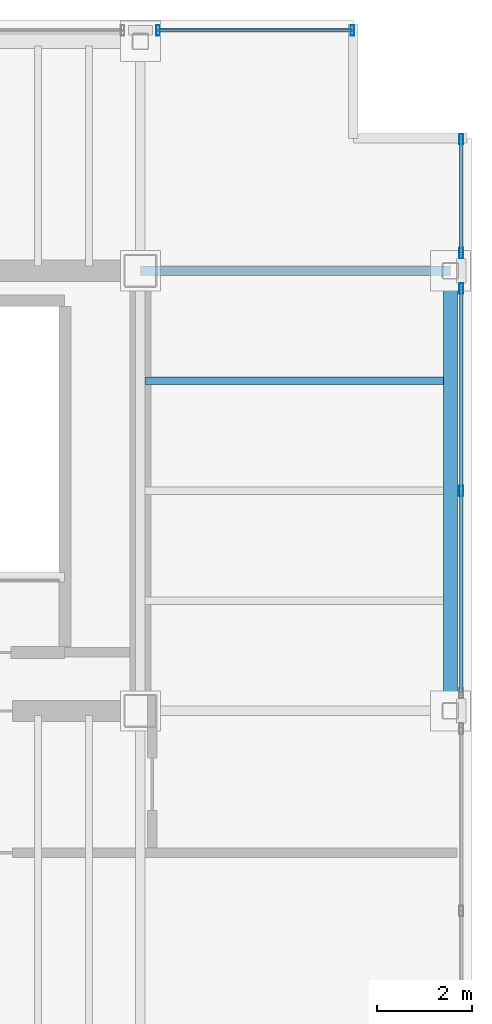
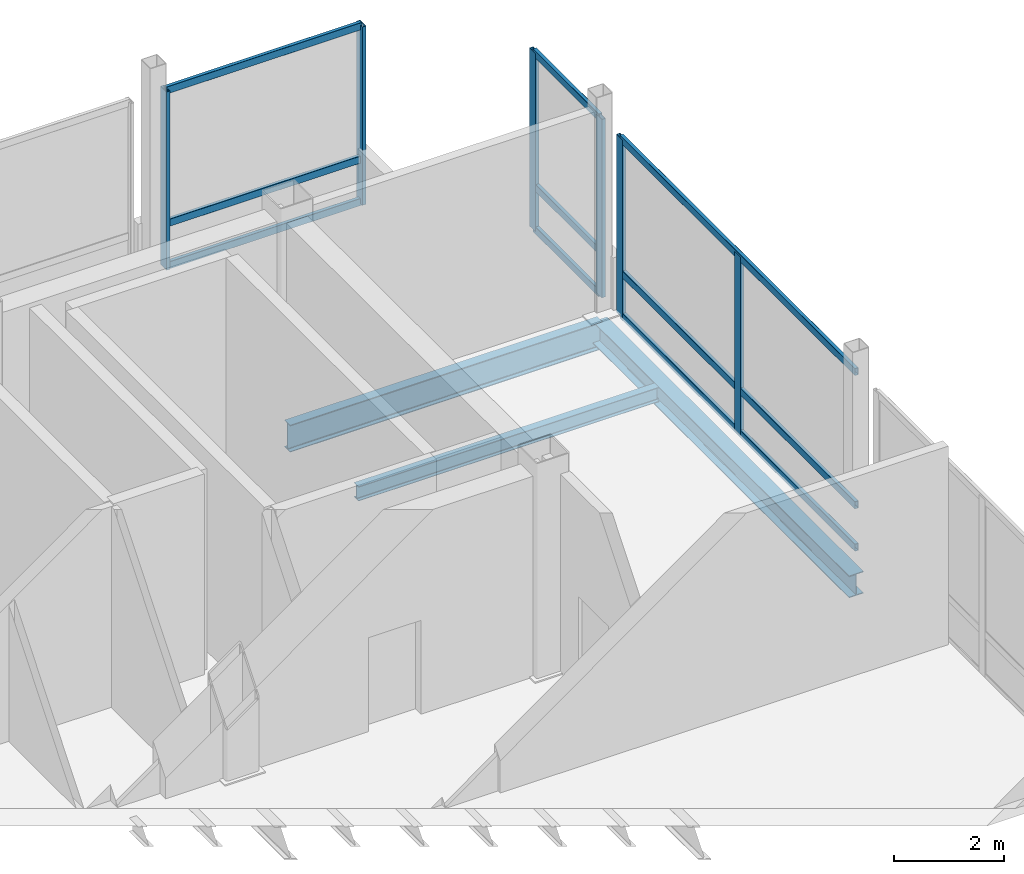
# One storey, part 16 of 20: 15 members, 3 beams, 3 elements without a shape of their own.
"""IFC4 building model written with IfcOpenShell, lengths in metres."""

from ifc_helpers import new_model, si_unit, direction, frame, origin, origin_2d, place, context, subcontext, project, spatial, hollow_rectangle, i_section, extrude, material, material_profile, profile_set, type_object, element, aggregate, save


model = new_model("IFC4")

# Units and contexts
model_context = context("Model", 3, precision=1e-05, world=origin(), true_north=direction((0.0, 1.0)))
body_context = subcontext(model_context, "Body", "Model", "MODEL_VIEW")
ifc_project = project(units=[si_unit("LENGTHUNIT", "METRE"), si_unit("AREAUNIT", "SQUARE_METRE"), si_unit("VOLUMEUNIT", "CUBIC_METRE"), si_unit("PLANEANGLEUNIT", "RADIAN"), si_unit("MASSUNIT", "GRAM", prefix="KILO")], contexts=[model_context])

# Site, building, storey
site_placement = place(None, origin())
site = spatial("IfcSite", under=ifc_project, at=site_placement, CompositionType="ELEMENT")
building_placement = place(site_placement, origin())
building = spatial("IfcBuilding", under=site, at=building_placement, Name="Noeulbin Bourse Tower", CompositionType="ELEMENT")
storey_placement = place(building_placement, frame((0.0, 0.0, 312.60009765625)))
storey = spatial("IfcBuildingStorey", under=building, at=storey_placement, Name="L77", CompositionType="ELEMENT", Elevation=312.60009765625)

# Beams
ifc_material_1 = material(Name="Steel S355", Category="steel")
ifc_material_profile_1 = material_profile(ifc_material_1, i_section(OverallWidth=0.199951171875, OverallDepth=0.60009765625, WebThickness=0.010986328125, FlangeThickness=0.01708984375, FilletRadius=0.02197265625, at=origin_2d()), Name="H-600x200x11x17", Category="LoadBearing")
ifc_profile_set_1 = profile_set([ifc_material_profile_1], Name="Steel S355")
beam_type_1 = type_object("IfcBeamType", Name="BM-GRD-600", PredefinedType="USERDEFINED", material=ifc_profile_set_1)
beam_1_placement = place(storey_placement, frame((44.0, 38.300048828125, -0.56005859375), z_axis=(1.0, 0.0, 0.0), x_axis=(0.0, 1.0, 0.0)))
element("IfcBeam", 1, at=beam_1_placement, inside=storey, type_object=beam_type_1, Name="Tower Primary Girder EW L77-3.4", ObjectType="GIRDER", PredefinedType="USERDEFINED", context=body_context, shape_type="SweptSolid", body=[
    extrude(i_section(OverallWidth=0.199951171875, OverallDepth=0.60009765625, WebThickness=0.010986328125, FlangeThickness=0.01708984375, FilletRadius=0.02197265625, at=origin_2d()), origin(), (0.0, 0.0, 1.0), 6.550048828125),
])
ifc_material_profile_2 = material_profile(ifc_material_1, i_section(OverallWidth=0.159912109375, OverallDepth=0.320068359375, WebThickness=0.006591796875, FlangeThickness=0.010009765625, FilletRadius=0.012939453125, at=origin_2d()), Name="H-320x160x6.5x10", Category="LoadBearing")
ifc_profile_set_2 = profile_set([ifc_material_profile_2], Name="Steel S355")
beam_type_2 = type_object("IfcBeamType", Name="BM-JST-320", PredefinedType="JOIST", material=ifc_profile_set_2)
beam_2_placement = place(storey_placement, frame((44.10009765625, 35.97509765625, -0.420166015625), z_axis=(1.0, 0.0, 0.0), x_axis=(0.0, 1.0, 0.0)))
element("IfcBeam", 2, at=beam_2_placement, inside=storey, type_object=beam_type_2, Name="Wing Composite Joist L77-E33", PredefinedType="JOIST", context=body_context, shape_type="SweptSolid", body=[
    extrude(i_section(OverallWidth=0.159912109375, OverallDepth=0.320068359375, WebThickness=0.006591796875, FlangeThickness=0.010009765625, FilletRadius=0.012939453125, at=origin_2d()), origin(), (0.0, 0.0, 1.0), 6.2998046875),
])
ifc_material_profile_3 = material_profile(ifc_material_1, i_section(OverallWidth=0.300048828125, OverallDepth=0.488037109375, WebThickness=0.010986328125, FlangeThickness=0.01806640625, FilletRadius=0.02197265625, at=origin_2d()), Name="H-488x300x11x18", Category="LoadBearing")
ifc_profile_set_3 = profile_set([ifc_material_profile_3], Name="Steel S355")
beam_type_3 = type_object("IfcBeamType", Name="BM-SPN-488", PredefinedType="SPANDREL", material=ifc_profile_set_3)
beam_3_placement = place(storey_placement, frame((50.550048828125, 29.0, -0.504150390625), z_axis=(0.0, 1.0, 0.0), x_axis=(-1.0, 0.0, 0.0)))
element("IfcBeam", 3, at=beam_3_placement, inside=storey, type_object=beam_type_3, Name="East Spandrel L77-1", PredefinedType="SPANDREL", context=body_context, shape_type="SweptSolid", body=[
    extrude(i_section(OverallWidth=0.300048828125, OverallDepth=0.488037109375, WebThickness=0.010986328125, FlangeThickness=0.01806640625, FilletRadius=0.02197265625, at=origin_2d()), origin(), (0.0, 0.0, 1.0), 9.300048828125),
])

# Curtain wall, members
ifc_material_2 = material(Name="High-Selectivity Low-Iron Glazing", Category="glass")
curtain_wall_type = type_object("IfcCurtainWallType", Name="CW-SYS-4", PredefinedType="NOTDEFINED", material=ifc_material_2)
curtain_wall_1_placement = place(storey_placement, origin())
curtain_wall_1 = element("IfcCurtainWall", 4, at=curtain_wall_1_placement, inside=storey, type_object=curtain_wall_type, Name="Unitised Curtain Wall CW-L77-N-S5", PredefinedType="NOTDEFINED")
ifc_material_3 = material(Name="Anodised Aluminium 6063-T6", Category="aluminium")
ifc_material_profile_4 = material_profile(ifc_material_3, hollow_rectangle(XDim=0.074951171875, YDim=0.219970703125, WallThickness=0.0048828125, InnerFilletRadius=0.00244140625, OuterFilletRadius=0.0048828125, at=origin_2d()), Name="ALU-MULL-75x220x5", Category="LoadBearing")
ifc_profile_set_4 = profile_set([ifc_material_profile_4], Name="Anodised Aluminium 6063-T6")
member_type_1 = type_object("IfcMemberType", Name="CW-SYS-4-MUL", PredefinedType="MULLION", material=ifc_profile_set_4)
member_1_placement = place(storey_placement, frame((44.375, 43.3798828125, -0.02001953125), z_axis=(0.0, 0.0, 1.0), x_axis=(1.0, 0.0, 0.0)))
member_1 = element("IfcMember", 5, at=member_1_placement, type_object=member_type_1, Name="Curtain Wall Mullion CW-L77-N-S5-M00", PredefinedType="MULLION", context=body_context, shape_type="SweptSolid", body=[
    extrude(hollow_rectangle(XDim=0.074951171875, YDim=0.219970703125, WallThickness=0.0048828125, InnerFilletRadius=0.00244140625, OuterFilletRadius=0.0048828125, at=origin_2d()), origin(), (0.0, 0.0, 1.0), 3.949951171875),
])
member_2_placement = place(storey_placement, frame((48.47998046875, 43.3798828125, -0.02001953125), z_axis=(0.0, 0.0, 1.0), x_axis=(1.0, 0.0, 0.0)))
member_2 = element("IfcMember", 6, at=member_2_placement, type_object=member_type_1, Name="Curtain Wall Mullion CW-L77-N-S5-M01", PredefinedType="MULLION", context=body_context, shape_type="SweptSolid", body=[
    extrude(hollow_rectangle(XDim=0.074951171875, YDim=0.219970703125, WallThickness=0.0048828125, InnerFilletRadius=0.00244140625, OuterFilletRadius=0.0048828125, at=origin_2d()), origin(), (0.0, 0.0, 1.0), 3.949951171875),
])

curtain_wall_2_placement = place(storey_placement, origin())
curtain_wall_2 = element("IfcCurtainWall", 7, at=curtain_wall_2_placement, inside=storey, type_object=curtain_wall_type, Name="Unitised Curtain Wall CW-L77-E-S2", PredefinedType="NOTDEFINED")
member_3_placement = place(storey_placement, frame((50.780029296875, 33.64990234375, -0.02001953125), z_axis=(0.0, 0.0, 1.0), x_axis=(1.0, 0.0, 0.0)))
member_3 = element("IfcMember", 8, at=member_3_placement, type_object=member_type_1, Name="Curtain Wall Mullion CW-L77-E-S2-M01", PredefinedType="MULLION", context=body_context, shape_type="SweptSolid", body=[
    extrude(hollow_rectangle(XDim=0.074951171875, YDim=0.219970703125, WallThickness=0.0048828125, InnerFilletRadius=0.00244140625, OuterFilletRadius=0.0048828125, at=origin_2d()), origin(), (0.0, 0.0, 1.0), 3.949951171875),
])
member_4_placement = place(storey_placement, frame((50.780029296875, 37.925048828125, -0.02001953125), z_axis=(0.0, 0.0, 1.0), x_axis=(1.0, 0.0, 0.0)))
member_4 = element("IfcMember", 9, at=member_4_placement, type_object=member_type_1, Name="Curtain Wall Mullion CW-L77-E-S2-M02", PredefinedType="MULLION", context=body_context, shape_type="SweptSolid", body=[
    extrude(hollow_rectangle(XDim=0.074951171875, YDim=0.219970703125, WallThickness=0.0048828125, InnerFilletRadius=0.00244140625, OuterFilletRadius=0.0048828125, at=origin_2d()), origin(), (0.0, 0.0, 1.0), 3.949951171875),
])

curtain_wall_3_placement = place(storey_placement, origin())
curtain_wall_3 = element("IfcCurtainWall", 10, at=curtain_wall_3_placement, inside=storey, type_object=curtain_wall_type, Name="Unitised Curtain Wall CW-L77-E-S3", PredefinedType="NOTDEFINED")
member_5_placement = place(storey_placement, frame((50.780029296875, 38.675048828125, -0.02001953125), z_axis=(0.0, 0.0, 1.0), x_axis=(1.0, 0.0, 0.0)))
member_5 = element("IfcMember", 11, at=member_5_placement, type_object=member_type_1, Name="Curtain Wall Mullion CW-L77-E-S3-M00", PredefinedType="MULLION", context=body_context, shape_type="SweptSolid", body=[
    extrude(hollow_rectangle(XDim=0.074951171875, YDim=0.219970703125, WallThickness=0.0048828125, InnerFilletRadius=0.00244140625, OuterFilletRadius=0.0048828125, at=origin_2d()), origin(), (0.0, 0.0, 1.0), 3.949951171875),
])
member_6_placement = place(storey_placement, frame((50.780029296875, 41.080078125, -0.02001953125), z_axis=(0.0, 0.0, 1.0), x_axis=(1.0, 0.0, 0.0)))
member_6 = element("IfcMember", 12, at=member_6_placement, type_object=member_type_1, Name="Curtain Wall Mullion CW-L77-E-S3-M01", PredefinedType="MULLION", context=body_context, shape_type="SweptSolid", body=[
    extrude(hollow_rectangle(XDim=0.074951171875, YDim=0.219970703125, WallThickness=0.0048828125, InnerFilletRadius=0.00244140625, OuterFilletRadius=0.0048828125, at=origin_2d()), origin(), (0.0, 0.0, 1.0), 3.949951171875),
])

# Member
ifc_material_profile_5 = material_profile(ifc_material_3, hollow_rectangle(XDim=0.074951171875, YDim=0.159912109375, WallThickness=0.0048828125, InnerFilletRadius=0.00244140625, OuterFilletRadius=0.0048828125, at=origin_2d()), Name="ALU-TRAN-75x160x5", Category="LoadBearing")
ifc_profile_set_5 = profile_set([ifc_material_profile_5], Name="Anodised Aluminium 6063-T6")
member_type_2 = type_object("IfcMemberType", Name="CW-SYS-4-TRN", PredefinedType="USERDEFINED", material=ifc_profile_set_5)
member_7_placement = place(storey_placement, frame((44.385009765625, 43.3798828125, 0.010009765625), z_axis=(1.0, 0.0, 0.0), x_axis=(0.0, 1.0, 0.0)))
member_7 = element("IfcMember", 13, at=member_7_placement, type_object=member_type_2, Name="Curtain Wall Transom CW-L77-N-S5-T00", ObjectType="TRANSOM", PredefinedType="USERDEFINED", context=body_context, shape_type="SweptSolid", body=[
    extrude(hollow_rectangle(XDim=0.074951171875, YDim=0.159912109375, WallThickness=0.0048828125, InnerFilletRadius=0.00244140625, OuterFilletRadius=0.0048828125, at=origin_2d()), origin(), (0.0, 0.0, 1.0), 4.0849609375),
])

member_8_placement = place(storey_placement, frame((44.385009765625, 43.3798828125, 0.949951171875), z_axis=(1.0, 0.0, 0.0), x_axis=(0.0, 1.0, 0.0)))
member_8 = element("IfcMember", 14, at=member_8_placement, type_object=member_type_2, Name="Curtain Wall Transom CW-L77-N-S5-T01", ObjectType="TRANSOM", PredefinedType="USERDEFINED", context=body_context, shape_type="SweptSolid", body=[
    extrude(hollow_rectangle(XDim=0.074951171875, YDim=0.159912109375, WallThickness=0.0048828125, InnerFilletRadius=0.00244140625, OuterFilletRadius=0.0048828125, at=origin_2d()), origin(), (0.0, 0.0, 1.0), 4.0849609375),
])

member_9_placement = place(storey_placement, frame((44.385009765625, 43.3798828125, 3.89990234375), z_axis=(1.0, 0.0, 0.0), x_axis=(0.0, 1.0, 0.0)))
member_9 = element("IfcMember", 15, at=member_9_placement, type_object=member_type_2, Name="Curtain Wall Transom CW-L77-N-S5-T02", ObjectType="TRANSOM", PredefinedType="USERDEFINED", context=body_context, shape_type="SweptSolid", body=[
    extrude(hollow_rectangle(XDim=0.074951171875, YDim=0.159912109375, WallThickness=0.0048828125, InnerFilletRadius=0.00244140625, OuterFilletRadius=0.0048828125, at=origin_2d()), origin(), (0.0, 0.0, 1.0), 4.0849609375),
])

aggregate(curtain_wall_1, [member_1, member_2, member_7, member_8, member_9])

member_10_placement = place(storey_placement, frame((50.780029296875, 29.385009765625, 0.010009765625), z_axis=(0.0, 1.0, 0.0), x_axis=(-1.0, 0.0, 0.0)))
member_10 = element("IfcMember", 16, at=member_10_placement, type_object=member_type_2, Name="Curtain Wall Transom CW-L77-E-S2-T00", ObjectType="TRANSOM", PredefinedType="USERDEFINED", context=body_context, shape_type="SweptSolid", body=[
    extrude(hollow_rectangle(XDim=0.074951171875, YDim=0.159912109375, WallThickness=0.0048828125, InnerFilletRadius=0.00244140625, OuterFilletRadius=0.0048828125, at=origin_2d()), origin(), (0.0, 0.0, 1.0), 8.530029296875),
])

member_11_placement = place(storey_placement, frame((50.780029296875, 29.385009765625, 0.949951171875), z_axis=(0.0, 1.0, 0.0), x_axis=(-1.0, 0.0, 0.0)))
member_11 = element("IfcMember", 17, at=member_11_placement, type_object=member_type_2, Name="Curtain Wall Transom CW-L77-E-S2-T01", ObjectType="TRANSOM", PredefinedType="USERDEFINED", context=body_context, shape_type="SweptSolid", body=[
    extrude(hollow_rectangle(XDim=0.074951171875, YDim=0.159912109375, WallThickness=0.0048828125, InnerFilletRadius=0.00244140625, OuterFilletRadius=0.0048828125, at=origin_2d()), origin(), (0.0, 0.0, 1.0), 8.530029296875),
])

member_12_placement = place(storey_placement, frame((50.780029296875, 29.385009765625, 3.89990234375), z_axis=(0.0, 1.0, 0.0), x_axis=(-1.0, 0.0, 0.0)))
member_12 = element("IfcMember", 18, at=member_12_placement, type_object=member_type_2, Name="Curtain Wall Transom CW-L77-E-S2-T02", ObjectType="TRANSOM", PredefinedType="USERDEFINED", context=body_context, shape_type="SweptSolid", body=[
    extrude(hollow_rectangle(XDim=0.074951171875, YDim=0.159912109375, WallThickness=0.0048828125, InnerFilletRadius=0.00244140625, OuterFilletRadius=0.0048828125, at=origin_2d()), origin(), (0.0, 0.0, 1.0), 8.530029296875),
])

aggregate(curtain_wall_2, [member_3, member_4, member_10, member_11, member_12])

member_13_placement = place(storey_placement, frame((50.780029296875, 38.68505859375, 0.010009765625), z_axis=(0.0, 1.0, 0.0), x_axis=(-1.0, 0.0, 0.0)))
member_13 = element("IfcMember", 19, at=member_13_placement, type_object=member_type_2, Name="Curtain Wall Transom CW-L77-E-S3-T00", ObjectType="TRANSOM", PredefinedType="USERDEFINED", context=body_context, shape_type="SweptSolid", body=[
    extrude(hollow_rectangle(XDim=0.074951171875, YDim=0.159912109375, WallThickness=0.0048828125, InnerFilletRadius=0.00244140625, OuterFilletRadius=0.0048828125, at=origin_2d()), origin(), (0.0, 0.0, 1.0), 2.385009765625),
])

member_14_placement = place(storey_placement, frame((50.780029296875, 38.68505859375, 0.949951171875), z_axis=(0.0, 1.0, 0.0), x_axis=(-1.0, 0.0, 0.0)))
member_14 = element("IfcMember", 20, at=member_14_placement, type_object=member_type_2, Name="Curtain Wall Transom CW-L77-E-S3-T01", ObjectType="TRANSOM", PredefinedType="USERDEFINED", context=body_context, shape_type="SweptSolid", body=[
    extrude(hollow_rectangle(XDim=0.074951171875, YDim=0.159912109375, WallThickness=0.0048828125, InnerFilletRadius=0.00244140625, OuterFilletRadius=0.0048828125, at=origin_2d()), origin(), (0.0, 0.0, 1.0), 2.385009765625),
])

member_15_placement = place(storey_placement, frame((50.780029296875, 38.68505859375, 3.89990234375), z_axis=(0.0, 1.0, 0.0), x_axis=(-1.0, 0.0, 0.0)))
member_15 = element("IfcMember", 21, at=member_15_placement, type_object=member_type_2, Name="Curtain Wall Transom CW-L77-E-S3-T02", ObjectType="TRANSOM", PredefinedType="USERDEFINED", context=body_context, shape_type="SweptSolid", body=[
    extrude(hollow_rectangle(XDim=0.074951171875, YDim=0.159912109375, WallThickness=0.0048828125, InnerFilletRadius=0.00244140625, OuterFilletRadius=0.0048828125, at=origin_2d()), origin(), (0.0, 0.0, 1.0), 2.385009765625),
])

aggregate(curtain_wall_3, [member_5, member_6, member_13, member_14, member_15])

save(model, "model.ifc")
